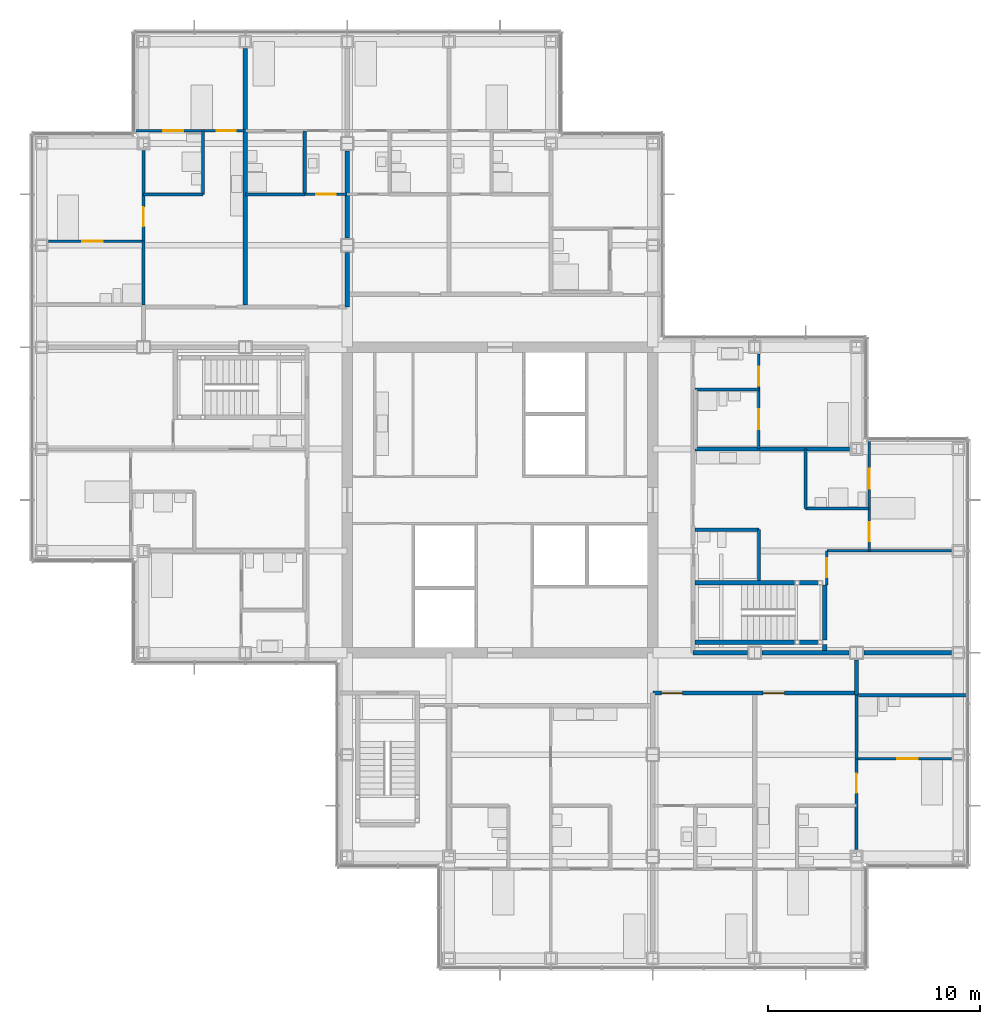
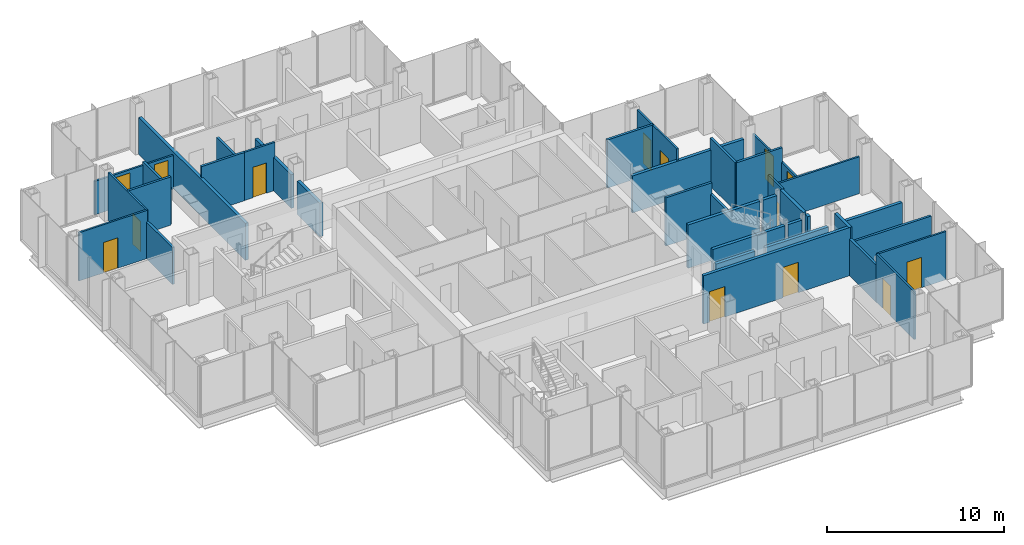
# One storey, part 16 of 20: 37 walls, 14 doors, 14 openings.
"""IFC4 building model written with IfcOpenShell, lengths in metres."""

from ifc_helpers import new_model, si_unit, direction, frame, frame_2d, origin, place, context, subcontext, project, spatial, rectangle, extrude, material, layer, layer_set, type_object, element, fill, save


model = new_model("IFC4")

# Units and contexts
model_context = context("Model", 3, precision=1e-05, world=origin(), true_north=direction((0.0, 1.0)))
body_context = subcontext(model_context, "Body", "Model", "MODEL_VIEW")
ifc_project = project(units=[si_unit("LENGTHUNIT", "METRE"), si_unit("AREAUNIT", "SQUARE_METRE"), si_unit("VOLUMEUNIT", "CUBIC_METRE"), si_unit("PLANEANGLEUNIT", "RADIAN"), si_unit("MASSUNIT", "GRAM", prefix="KILO")], contexts=[model_context])

# Site, building, storey
site_placement = place(None, origin())
site = spatial("IfcSite", under=ifc_project, at=site_placement, CompositionType="ELEMENT")
building_placement = place(site_placement, origin())
building = spatial("IfcBuilding", under=site, at=building_placement, Name="Kvirike Care Tower", CompositionType="ELEMENT")
storey_placement = place(building_placement, frame((0.0, 0.0, 122.5)))
storey = spatial("IfcBuildingStorey", under=building, at=storey_placement, Name="L33", CompositionType="ELEMENT", Elevation=122.5)

# Walls
ifc_material_1 = material(Name="Moisture-resistant board partition", Category="gypsum")
ifc_layer_1 = layer(ifc_material_1, 0.14990234375)
ifc_layer_set_1 = layer_set([ifc_layer_1], Name="BATHROOM WALL 150")
wall_type_1 = type_object("IfcWallType", Name="BATHROOM WALL 150", PredefinedType="PARTITIONING", material=ifc_layer_set_1)
wall_1_placement = place(storey_placement, frame((12.39990234375, 53.39990234375, 0.0), z_axis=(0.0, 0.0, 1.0), x_axis=(0.0, -1.0, 0.0)))
element("IfcWall", 1, at=wall_1_placement, inside=storey, type_object=wall_type_1, Name="Bathroom Wall 150 L33", PredefinedType="PARTITIONING", context=body_context, shape_type="SweptSolid", body=[
    extrude(rectangle(XDim=3.0, YDim=0.14990234375, at=frame_2d((1.5, 0.0))), origin(), (0.0, 0.0, 1.0), 2.550048828125),
])
wall_2_placement = place(storey_placement, frame((12.39990234375, 50.39990234375, 0.0), z_axis=(0.0, 0.0, 1.0), x_axis=(-1.0, 0.0, 0.0)))
element("IfcWall", 2, at=wall_2_placement, inside=storey, type_object=wall_type_1, Name="Bathroom Wall 150 L33", PredefinedType="PARTITIONING", context=body_context, shape_type="SweptSolid", body=[
    extrude(rectangle(XDim=2.7998046875, YDim=0.14990234375, at=frame_2d((1.39990234375, 0.0))), origin(), (0.0, 0.0, 1.0), 3.330078125),
])
wall_3_placement = place(storey_placement, frame((7.60009765625, 53.39990234375, 0.0), z_axis=(0.0, 0.0, 1.0), x_axis=(0.0, -1.0, 0.0)))
element("IfcWall", 3, at=wall_3_placement, inside=storey, type_object=wall_type_1, Name="Bathroom Wall 150 L33", PredefinedType="PARTITIONING", context=body_context, shape_type="SweptSolid", body=[
    extrude(rectangle(XDim=3.0, YDim=0.14990234375, at=frame_2d((1.5, 0.0))), origin(), (0.0, 0.0, 1.0), 2.550048828125),
])
wall_4_placement = place(storey_placement, frame((7.60009765625, 50.39990234375, 0.0), z_axis=(0.0, 0.0, 1.0), x_axis=(-1.0, 0.0, 0.0)))
element("IfcWall", 4, at=wall_4_placement, inside=storey, type_object=wall_type_1, Name="Bathroom Wall 150 L33", PredefinedType="PARTITIONING", context=body_context, shape_type="SweptSolid", body=[
    extrude(rectangle(XDim=2.800048828125, YDim=0.14990234375, at=frame_2d((1.39990234375, 0.0))), origin(), (0.0, 0.0, 1.0), 3.330078125),
])
for number, where, z_axis, x_axis, name in (
    (5, (4.800048828125, 48.199951171875, 0.0), (0.0, 0.0, 1.0), (0.0, -1.0, 0.0), "Bathroom Wall 150 L33"),
    (6, (38.39990234375, 23.800048828125, 0.0), (0.0, 0.0, 1.0), (0.0, 1.0, 0.0), "Bathroom Wall 150 L33"),
):
    element("IfcWall", number, at=place(storey_placement, frame(where, z_axis=z_axis, x_axis=x_axis)), inside=storey, type_object=wall_type_1, Name=name, PredefinedType="PARTITIONING", context=body_context, shape_type="SweptSolid", body=[
        extrude(rectangle(XDim=3.0, YDim=0.14990234375, at=frame_2d((1.5, 0.0))), origin(), (0.0, 0.0, 1.0), 2.550048828125),
    ])
wall_5_placement = place(storey_placement, frame((33.800048828125, 32.199951171875, 0.0), z_axis=(0.0, 0.0, 1.0), x_axis=(0.0, 1.0, 0.0)))
element("IfcWall", 7, at=wall_5_placement, inside=storey, type_object=wall_type_1, Name="Bathroom Wall 150 L33", PredefinedType="PARTITIONING", context=body_context, shape_type="SweptSolid", body=[
    extrude(rectangle(XDim=2.400146484375, YDim=0.14990234375, at=frame_2d((1.2001953125, 0.0))), origin(), (0.0, 0.0, 1.0), 2.550048828125),
])
for number, where, z_axis, x_axis, name in (
    (8, (33.800048828125, 34.60009765625, 0.0), (0.0, 0.0, 1.0), (-1.0, 0.0, 0.0), "Bathroom Wall 150 L33"),
    (9, (39.0, 35.60009765625, 0.0), (0.0, 0.0, 1.0), (-1.0, 0.0, 0.0), "Bathroom Wall 150 L33"),
):
    element("IfcWall", number, at=place(storey_placement, frame(where, z_axis=z_axis, x_axis=x_axis)), inside=storey, type_object=wall_type_1, Name=name, PredefinedType="PARTITIONING", context=body_context, shape_type="SweptSolid", body=[
        extrude(rectangle(XDim=3.0, YDim=0.14990234375, at=frame_2d((1.5, 0.0))), origin(), (0.0, 0.0, 1.0), 3.330078125),
    ])
wall_6_placement = place(storey_placement, frame((36.0, 35.60009765625, 0.0), z_axis=(0.0, 0.0, 1.0), x_axis=(0.0, 1.0, 0.0)))
element("IfcWall", 10, at=wall_6_placement, inside=storey, type_object=wall_type_1, Name="Bathroom Wall 150 L33", PredefinedType="PARTITIONING", context=body_context, shape_type="SweptSolid", body=[
    extrude(rectangle(XDim=2.7998046875, YDim=0.14990234375, at=frame_2d((1.39990234375, 0.0))), origin(), (0.0, 0.0, 1.0), 3.330078125),
])
wall_7_placement = place(storey_placement, frame((33.800048828125, 41.199951171875, 0.0), z_axis=(0.0, 0.0, 1.0), x_axis=(-1.0, 0.0, 0.0)))
element("IfcWall", 11, at=wall_7_placement, inside=storey, type_object=wall_type_1, Name="Bathroom Wall 150 L33", PredefinedType="PARTITIONING", context=body_context, shape_type="SweptSolid", body=[
    extrude(rectangle(XDim=3.0, YDim=0.14990234375, at=frame_2d((1.5, 0.0))), origin(), (0.0, 0.0, 1.0), 3.330078125),
])
wall_8_placement = place(storey_placement, frame((38.5, 26.800048828125, 0.0), z_axis=(0.0, 0.0, 1.0), x_axis=(1.0, 0.0, 0.0)))
element("IfcWall", 12, at=wall_8_placement, inside=storey, type_object=wall_type_1, Name="Bathroom Wall 150 L33", PredefinedType="PARTITIONING", context=body_context, shape_type="SweptSolid", body=[
    extrude(rectangle(XDim=5.139892578125, YDim=0.14990234375, at=frame_2d((2.56982421875, 0.0))), origin(), (0.0, 0.0, 1.0), 2.320068359375),
])

# Wall, openings, doors
ifc_material_2 = material(Name="Plasterboard corridor wall", Category="gypsum")
ifc_layer_2 = layer(ifc_material_2, 0.199951171875)
ifc_layer_set_2 = layer_set([ifc_layer_2], Name="CORRIDOR WALL 200")
wall_type_2 = type_object("IfcWallType", Name="CORRIDOR WALL 200", PredefinedType="PARTITIONING", material=ifc_layer_set_2)
wall_9_placement = place(storey_placement, frame((28.800048828125, 26.89990234375, 0.0), z_axis=(0.0, 0.0, 1.0), x_axis=(1.0, 0.0, 0.0)))
wall_9 = element("IfcWall", 13, at=wall_9_placement, inside=storey, type_object=wall_type_2, Name="Corridor Wall 200 L33", PredefinedType="PARTITIONING", context=body_context, shape_type="SweptSolid", body=[
    extrude(rectangle(XDim=9.599853515625, YDim=0.199951171875, at=frame_2d((4.7998046875, 0.0))), origin(), (0.0, 0.0, 1.0), 3.330078125),
])
opening_1_placement = place(wall_9_placement, frame((0.39990234375, 0.0, 0.0)))
opening_1 = element("IfcOpeningElement", 14, at=opening_1_placement, cuts=wall_9, Name="Opening 33-045", PredefinedType="OPENING", context=body_context, shape_type="SweptSolid", body=[
    extrude(rectangle(XDim=1.0, YDim=2.10009765625, at=frame_2d((0.5, 1.050048828125))), frame((0.0, 0.110595703125, 0.0), z_axis=(0.0, -1.0, 0.0), x_axis=(1.0, 0.0, 0.0)), (0.0, 0.0, 1.0), 0.220947265625),
])
opening_2_placement = place(wall_9_placement, frame((5.199951171875, 0.0, 0.0)))
opening_2 = element("IfcOpeningElement", 15, at=opening_2_placement, cuts=wall_9, Name="Opening 33-046", PredefinedType="OPENING", context=body_context, shape_type="SweptSolid", body=[
    extrude(rectangle(XDim=1.0, YDim=2.10009765625, at=frame_2d((0.5, 1.050048828125))), frame((0.0, 0.110595703125, 0.0), z_axis=(0.0, -1.0, 0.0), x_axis=(1.0, 0.0, 0.0)), (0.0, 0.0, 1.0), 0.220947265625),
])
ifc_material_3 = material(Name="Timber door set", Category="wood")
door_type_1 = type_object("IfcDoorType", Name="FLAT ENTRANCE DOOR 1000", OperationType="SINGLE_SWING_LEFT", PredefinedType="DOOR", material=ifc_material_3)
door_1_placement = place(opening_1_placement, frame((1.0, 0.0, 0.0), z_axis=(0.0, 0.0, 1.0), x_axis=(-1.0, 0.0, 0.0)))
door_1 = element("IfcDoor", 16, at=door_1_placement, inside=storey, type_object=door_type_1, Name="Assisted living suite entrance", OperationType="SINGLE_SWING_LEFT", OverallHeight=2.10009765625, OverallWidth=1.0, PredefinedType="DOOR", context=body_context, shape_type="SweptSolid", body=[
    extrude(rectangle(XDim=1.0, YDim=2.10009765625, at=frame_2d((0.5, 1.050048828125))), frame((0.0, 0.02685546875, 0.0), z_axis=(0.0, -1.0, 0.0), x_axis=(1.0, 0.0, 0.0)), (0.0, 0.0, 1.0), 0.053955078125),
])
fill(opening_1, door_1)
door_2_placement = place(opening_2_placement, frame((1.0, 0.0, 0.0), z_axis=(0.0, 0.0, 1.0), x_axis=(-1.0, 0.0, 0.0)))
door_2 = element("IfcDoor", 17, at=door_2_placement, inside=storey, type_object=door_type_1, Name="Two-bedroom assisted living suite entrance", OperationType="SINGLE_SWING_LEFT", OverallHeight=2.10009765625, OverallWidth=1.0, PredefinedType="DOOR", context=body_context, shape_type="SweptSolid", body=[
    extrude(rectangle(XDim=1.0, YDim=2.10009765625, at=frame_2d((0.5, 1.050048828125))), frame((0.0, 0.02685546875, 0.0), z_axis=(0.0, -1.0, 0.0), x_axis=(1.0, 0.0, 0.0)), (0.0, 0.0, 1.0), 0.053955078125),
])
fill(opening_2, door_2)

# Wall
wall_10_placement = place(storey_placement, frame((38.39990234375, 26.800048828125, 0.0), z_axis=(0.0, 0.0, 1.0), x_axis=(0.0, 1.0, 0.0)))
element("IfcWall", 18, at=wall_10_placement, inside=storey, type_object=wall_type_2, Name="Corridor Wall 200 L33", PredefinedType="PARTITIONING", context=body_context, shape_type="SweptSolid", body=[
    extrude(rectangle(XDim=1.655029296875, YDim=0.199951171875, at=frame_2d((0.82763671875, 0.0))), origin(), (0.0, 0.0, 1.0), 3.330078125),
])

# Wall, opening, door
ifc_material_4 = material(Name="Plasterboard partition", Category="gypsum")
ifc_layer_3 = layer(ifc_material_4, 0.1201171875)
ifc_layer_set_3 = layer_set([ifc_layer_3], Name="PARTITION 120")
wall_type_3 = type_object("IfcWallType", Name="PARTITION 120", PredefinedType="PARTITIONING", material=ifc_layer_set_3)
wall_11_placement = place(storey_placement, frame((14.39990234375, 50.39990234375, 0.0), z_axis=(0.0, 0.0, 1.0), x_axis=(-1.0, 0.0, 0.0)))
wall_11 = element("IfcWall", 19, at=wall_11_placement, inside=storey, type_object=wall_type_3, Name="Partition 120 L33", PredefinedType="PARTITIONING", context=body_context, shape_type="SweptSolid", body=[
    extrude(rectangle(XDim=2.0, YDim=0.1201171875, at=frame_2d((1.0, 0.0))), origin(), (0.0, 0.0, 1.0), 3.330078125),
])
opening_3_placement = place(wall_11_placement, frame((0.550048828125, 0.0, 0.0)))
opening_3 = element("IfcOpeningElement", 20, at=opening_3_placement, cuts=wall_11, Name="Opening 33-010", PredefinedType="OPENING", context=body_context, shape_type="SweptSolid", body=[
    extrude(rectangle(XDim=0.89990234375, YDim=2.10009765625, at=frame_2d((0.449951171875, 1.050048828125))), frame((0.0, 0.070556640625, 0.0), z_axis=(0.0, -1.0, 0.0), x_axis=(1.0, 0.0, 0.0)), (0.0, 0.0, 1.0), 0.14111328125),
])
ifc_material_5 = material(Name="Timber door set", Category="wood")
door_type_2 = type_object("IfcDoorType", Name="INTERNAL DOOR 900", OperationType="SINGLE_SWING_LEFT", PredefinedType="DOOR", material=ifc_material_5)
door_3_placement = place(opening_3_placement, frame((0.89990234375, 0.0, 0.0), z_axis=(0.0, 0.0, 1.0), x_axis=(-1.0, 0.0, 0.0)))
door_3 = element("IfcDoor", 21, at=door_3_placement, inside=storey, type_object=door_type_2, Name="Kitchen door", OperationType="SINGLE_SWING_LEFT", OverallHeight=2.10009765625, OverallWidth=0.89990234375, PredefinedType="DOOR", context=body_context, shape_type="SweptSolid", body=[
    extrude(rectangle(XDim=0.89990234375, YDim=2.10009765625, at=frame_2d((0.449951171875, 1.050048828125))), frame((0.0, 0.02197265625, 0.0), z_axis=(0.0, -1.0, 0.0), x_axis=(1.0, 0.0, 0.0)), (0.0, 0.0, 1.0), 0.0439453125),
])
fill(opening_3, door_3)

# Wall, openings, doors
wall_12_placement = place(storey_placement, frame((9.60009765625, 53.39990234375, 0.0), z_axis=(0.0, 0.0, 1.0), x_axis=(-1.0, 0.0, 0.0)))
wall_12 = element("IfcWall", 22, at=wall_12_placement, inside=storey, type_object=wall_type_3, Name="Partition 120 L33", PredefinedType="PARTITIONING", context=body_context, shape_type="SweptSolid", body=[
    extrude(rectangle(XDim=5.239990234375, YDim=0.1201171875, at=frame_2d((2.6201171875, 0.0))), origin(), (0.0, 0.0, 1.0), 2.320068359375),
])
opening_4_placement = place(wall_12_placement, frame((0.449951171875, 0.0, 0.0)))
opening_4 = element("IfcOpeningElement", 23, at=opening_4_placement, cuts=wall_12, Name="Opening 33-013", PredefinedType="OPENING", context=body_context, shape_type="SweptSolid", body=[
    extrude(rectangle(XDim=0.89990234375, YDim=2.10009765625, at=frame_2d((0.449951171875, 1.050048828125))), frame((0.0, 0.070556640625, 0.0), z_axis=(0.0, -1.0, 0.0), x_axis=(1.0, 0.0, 0.0)), (0.0, 0.0, 1.0), 0.14111328125),
])
opening_5_placement = place(wall_12_placement, frame((2.925048828125, 0.0, 0.0)))
opening_5 = element("IfcOpeningElement", 24, at=opening_5_placement, cuts=wall_12, Name="Opening 33-014", PredefinedType="OPENING", context=body_context, shape_type="SweptSolid", body=[
    extrude(rectangle(XDim=0.949951171875, YDim=2.10009765625, at=frame_2d((0.47509765625, 1.050048828125))), frame((0.0, 0.070556640625, 0.0), z_axis=(0.0, -1.0, 0.0), x_axis=(1.0, 0.0, 0.0)), (0.0, 0.0, 1.0), 0.14111328125),
])
ifc_material_6 = material(Name="Timber door set", Category="wood")
door_type_3 = type_object("IfcDoorType", Name="EN-SUITE SLIDING DOOR 950", OperationType="SLIDING_TO_LEFT", PredefinedType="DOOR", material=ifc_material_6)
door_4_placement = place(opening_5_placement, origin())
door_4 = element("IfcDoor", 25, at=door_4_placement, inside=storey, type_object=door_type_3, Name="En-suite door", OperationType="SLIDING_TO_LEFT", OverallHeight=2.10009765625, OverallWidth=0.949951171875, PredefinedType="DOOR", context=body_context, shape_type="SweptSolid", body=[
    extrude(rectangle(XDim=0.949951171875, YDim=2.10009765625, at=frame_2d((0.47509765625, 1.050048828125))), frame((0.0, 0.02197265625, 0.0), z_axis=(0.0, -1.0, 0.0), x_axis=(1.0, 0.0, 0.0)), (0.0, 0.0, 1.0), 0.0439453125),
])
fill(opening_5, door_4)
door_5_placement = place(opening_4_placement, frame((0.89990234375, 0.0, 0.0), z_axis=(0.0, 0.0, 1.0), x_axis=(-1.0, 0.0, 0.0)))
door_5 = element("IfcDoor", 26, at=door_5_placement, inside=storey, type_object=door_type_2, Name="Assisted living suite door", OperationType="SINGLE_SWING_LEFT", OverallHeight=2.10009765625, OverallWidth=0.89990234375, PredefinedType="DOOR", context=body_context, shape_type="SweptSolid", body=[
    extrude(rectangle(XDim=0.89990234375, YDim=2.10009765625, at=frame_2d((0.449951171875, 1.050048828125))), frame((0.0, 0.02197265625, 0.0), z_axis=(0.0, -1.0, 0.0), x_axis=(1.0, 0.0, 0.0)), (0.0, 0.0, 1.0), 0.0439453125),
])
fill(opening_4, door_5)

# Wall, opening, door
wall_13_placement = place(storey_placement, frame((4.800048828125, 48.199951171875, 0.0), z_axis=(0.0, 0.0, 1.0), x_axis=(-1.0, 0.0, 0.0)))
wall_13 = element("IfcWall", 27, at=wall_13_placement, inside=storey, type_object=wall_type_3, Name="Partition 120 L33", PredefinedType="PARTITIONING", context=body_context, shape_type="SweptSolid", body=[
    extrude(rectangle(XDim=4.47998046875, YDim=0.1201171875, at=frame_2d((2.239990234375, 0.0))), origin(), (0.0, 0.0, 1.0), 3.330078125),
])
opening_6_placement = place(wall_13_placement, frame((1.925048828125, 0.0, 0.0)))
opening_6 = element("IfcOpeningElement", 28, at=opening_6_placement, cuts=wall_13, Name="Opening 33-015", PredefinedType="OPENING", context=body_context, shape_type="SweptSolid", body=[
    extrude(rectangle(XDim=0.949951171875, YDim=2.10009765625, at=frame_2d((0.47509765625, 1.050048828125))), frame((0.0, 0.070556640625, 0.0), z_axis=(0.0, -1.0, 0.0), x_axis=(1.0, 0.0, 0.0)), (0.0, 0.0, 1.0), 0.14111328125),
])
door_6_placement = place(opening_6_placement, origin())
door_6 = element("IfcDoor", 29, at=door_6_placement, inside=storey, type_object=door_type_3, Name="En-suite door", OperationType="SLIDING_TO_RIGHT", OverallHeight=2.10009765625, OverallWidth=0.949951171875, PredefinedType="DOOR", context=body_context, shape_type="SweptSolid", body=[
    extrude(rectangle(XDim=0.949951171875, YDim=2.10009765625, at=frame_2d((0.47509765625, 1.050048828125))), frame((0.0, 0.02197265625, 0.0), z_axis=(0.0, -1.0, 0.0), x_axis=(1.0, 0.0, 0.0)), (0.0, 0.0, 1.0), 0.0439453125),
])
fill(opening_6, door_6)

wall_14_placement = place(storey_placement, frame((4.800048828125, 52.47998046875, 0.0), z_axis=(0.0, 0.0, 1.0), x_axis=(0.0, -1.0, 0.0)))
wall_14 = element("IfcWall", 30, at=wall_14_placement, inside=storey, type_object=wall_type_3, Name="Partition 120 L33", PredefinedType="PARTITIONING", context=body_context, shape_type="SweptSolid", body=[
    extrude(rectangle(XDim=4.280029296875, YDim=0.1201171875, at=frame_2d((2.14013671875, 0.0))), origin(), (0.0, 0.0, 1.0), 3.330078125),
])
opening_7_placement = place(wall_14_placement, frame((2.679931640625, 0.0, 0.0)))
opening_7 = element("IfcOpeningElement", 31, at=opening_7_placement, cuts=wall_14, Name="Opening 33-016", PredefinedType="OPENING", context=body_context, shape_type="SweptSolid", body=[
    extrude(rectangle(XDim=0.89990234375, YDim=2.10009765625, at=frame_2d((0.449951171875, 1.050048828125))), frame((0.0, 0.070556640625, 0.0), z_axis=(0.0, -1.0, 0.0), x_axis=(1.0, 0.0, 0.0)), (0.0, 0.0, 1.0), 0.14111328125),
])
door_7_placement = place(opening_7_placement, frame((0.89990234375, 0.0, 0.0), z_axis=(0.0, 0.0, 1.0), x_axis=(-1.0, 0.0, 0.0)))
door_7 = element("IfcDoor", 32, at=door_7_placement, inside=storey, type_object=door_type_2, Name="Connecting door", OperationType="SINGLE_SWING_RIGHT", OverallHeight=2.10009765625, OverallWidth=0.89990234375, PredefinedType="DOOR", context=body_context, shape_type="SweptSolid", body=[
    extrude(rectangle(XDim=0.89990234375, YDim=2.10009765625, at=frame_2d((0.449951171875, 1.050048828125))), frame((0.0, 0.02197265625, 0.0), z_axis=(0.0, -1.0, 0.0), x_axis=(1.0, 0.0, 0.0)), (0.0, 0.0, 1.0), 0.0439453125),
])
fill(opening_7, door_7)

wall_15_placement = place(storey_placement, frame((38.39990234375, 23.800048828125, 0.0), z_axis=(0.0, 0.0, 1.0), x_axis=(1.0, 0.0, 0.0)))
wall_15 = element("IfcWall", 33, at=wall_15_placement, inside=storey, type_object=wall_type_3, Name="Partition 120 L33", PredefinedType="PARTITIONING", context=body_context, shape_type="SweptSolid", body=[
    extrude(rectangle(XDim=4.47998046875, YDim=0.1201171875, at=frame_2d((2.239990234375, 0.0))), origin(), (0.0, 0.0, 1.0), 3.330078125),
])
opening_8_placement = place(wall_15_placement, frame((1.925048828125, 0.0, 0.0)))
opening_8 = element("IfcOpeningElement", 34, at=opening_8_placement, cuts=wall_15, Name="Opening 33-043", PredefinedType="OPENING", context=body_context, shape_type="SweptSolid", body=[
    extrude(rectangle(XDim=0.949951171875, YDim=2.10009765625, at=frame_2d((0.47509765625, 1.050048828125))), frame((0.0, 0.070556640625, 0.0), z_axis=(0.0, -1.0, 0.0), x_axis=(1.0, 0.0, 0.0)), (0.0, 0.0, 1.0), 0.14111328125),
])
door_8_placement = place(opening_8_placement, origin())
door_8 = element("IfcDoor", 35, at=door_8_placement, inside=storey, type_object=door_type_3, Name="En-suite door", OperationType="SLIDING_TO_RIGHT", OverallHeight=2.10009765625, OverallWidth=0.949951171875, PredefinedType="DOOR", context=body_context, shape_type="SweptSolid", body=[
    extrude(rectangle(XDim=0.949951171875, YDim=2.10009765625, at=frame_2d((0.47509765625, 1.050048828125))), frame((0.0, 0.02197265625, 0.0), z_axis=(0.0, -1.0, 0.0), x_axis=(1.0, 0.0, 0.0)), (0.0, 0.0, 1.0), 0.0439453125),
])
fill(opening_8, door_8)

wall_16_placement = place(storey_placement, frame((38.39990234375, 19.52001953125, 0.0), z_axis=(0.0, 0.0, 1.0), x_axis=(0.0, 1.0, 0.0)))
wall_16 = element("IfcWall", 36, at=wall_16_placement, inside=storey, type_object=wall_type_3, Name="Partition 120 L33", PredefinedType="PARTITIONING", context=body_context, shape_type="SweptSolid", body=[
    extrude(rectangle(XDim=4.280029296875, YDim=0.1201171875, at=frame_2d((2.14013671875, 0.0))), origin(), (0.0, 0.0, 1.0), 3.330078125),
])
opening_9_placement = place(wall_16_placement, frame((2.679931640625, 0.0, 0.0)))
opening_9 = element("IfcOpeningElement", 37, at=opening_9_placement, cuts=wall_16, Name="Opening 33-044", PredefinedType="OPENING", context=body_context, shape_type="SweptSolid", body=[
    extrude(rectangle(XDim=0.89990234375, YDim=2.10009765625, at=frame_2d((0.449951171875, 1.050048828125))), frame((0.0, 0.070556640625, 0.0), z_axis=(0.0, -1.0, 0.0), x_axis=(1.0, 0.0, 0.0)), (0.0, 0.0, 1.0), 0.14111328125),
])
door_9_placement = place(opening_9_placement, frame((0.89990234375, 0.0, 0.0), z_axis=(0.0, 0.0, 1.0), x_axis=(-1.0, 0.0, 0.0)))
door_9 = element("IfcDoor", 38, at=door_9_placement, inside=storey, type_object=door_type_2, Name="Connecting door", OperationType="SINGLE_SWING_RIGHT", OverallHeight=2.10009765625, OverallWidth=0.89990234375, PredefinedType="DOOR", context=body_context, shape_type="SweptSolid", body=[
    extrude(rectangle(XDim=0.89990234375, YDim=2.10009765625, at=frame_2d((0.449951171875, 1.050048828125))), frame((0.0, 0.02197265625, 0.0), z_axis=(0.0, -1.0, 0.0), x_axis=(1.0, 0.0, 0.0)), (0.0, 0.0, 1.0), 0.0439453125),
])
fill(opening_9, door_9)

wall_17_placement = place(storey_placement, frame((37.0, 32.0, 0.0), z_axis=(0.0, 0.0, 1.0), x_axis=(0.0, 1.0, 0.0)))
wall_17 = element("IfcWall", 39, at=wall_17_placement, inside=storey, type_object=wall_type_3, Name="Partition 120 L33", PredefinedType="PARTITIONING", context=body_context, shape_type="SweptSolid", body=[
    extrude(rectangle(XDim=1.60009765625, YDim=0.1201171875, at=frame_2d((0.800048828125, 0.0))), origin(), (0.0, 0.0, 1.0), 3.330078125),
])
opening_10_placement = place(wall_17_placement, frame((0.35009765625, 0.0, 0.0)))
opening_10 = element("IfcOpeningElement", 40, at=opening_10_placement, cuts=wall_17, Name="Opening 33-047", PredefinedType="OPENING", context=body_context, shape_type="SweptSolid", body=[
    extrude(rectangle(XDim=0.89990234375, YDim=2.10009765625, at=frame_2d((0.449951171875, 1.050048828125))), frame((0.0, 0.070556640625, 0.0), z_axis=(0.0, -1.0, 0.0), x_axis=(1.0, 0.0, 0.0)), (0.0, 0.0, 1.0), 0.14111328125),
])
door_10_placement = place(opening_10_placement, frame((0.89990234375, 0.0, 0.0), z_axis=(0.0, 0.0, 1.0), x_axis=(-1.0, 0.0, 0.0)))
door_10 = element("IfcDoor", 41, at=door_10_placement, inside=storey, type_object=door_type_2, Name="Suite sitting room door", OperationType="SINGLE_SWING_RIGHT", OverallHeight=2.10009765625, OverallWidth=0.89990234375, PredefinedType="DOOR", context=body_context, shape_type="SweptSolid", body=[
    extrude(rectangle(XDim=0.89990234375, YDim=2.10009765625, at=frame_2d((0.449951171875, 1.050048828125))), frame((0.0, 0.02197265625, 0.0), z_axis=(0.0, -1.0, 0.0), x_axis=(1.0, 0.0, 0.0)), (0.0, 0.0, 1.0), 0.0439453125),
])
fill(opening_10, door_10)

# Wall, openings, doors
wall_18_placement = place(storey_placement, frame((39.0, 33.60009765625, 0.0), z_axis=(0.0, 0.0, 1.0), x_axis=(0.0, 1.0, 0.0)))
wall_18 = element("IfcWall", 42, at=wall_18_placement, inside=storey, type_object=wall_type_3, Name="Partition 120 L33", PredefinedType="PARTITIONING", context=body_context, shape_type="SweptSolid", body=[
    extrude(rectangle(XDim=5.239990234375, YDim=0.1201171875, at=frame_2d((2.6201171875, 0.0))), origin(), (0.0, 0.0, 1.0), 2.320068359375),
])
opening_11_placement = place(wall_18_placement, frame((0.449951171875, 0.0, 0.0)))
opening_11 = element("IfcOpeningElement", 43, at=opening_11_placement, cuts=wall_18, Name="Opening 33-048", PredefinedType="OPENING", context=body_context, shape_type="SweptSolid", body=[
    extrude(rectangle(XDim=0.89990234375, YDim=2.10009765625, at=frame_2d((0.449951171875, 1.050048828125))), frame((0.0, 0.070556640625, 0.0), z_axis=(0.0, -1.0, 0.0), x_axis=(1.0, 0.0, 0.0)), (0.0, 0.0, 1.0), 0.14111328125),
])
opening_12_placement = place(wall_18_placement, frame((2.925048828125, 0.0, 0.0)))
opening_12 = element("IfcOpeningElement", 44, at=opening_12_placement, cuts=wall_18, Name="Opening 33-049", PredefinedType="OPENING", context=body_context, shape_type="SweptSolid", body=[
    extrude(rectangle(XDim=0.949951171875, YDim=2.10009765625, at=frame_2d((0.47509765625, 1.050048828125))), frame((0.0, 0.070556640625, 0.0), z_axis=(0.0, -1.0, 0.0), x_axis=(1.0, 0.0, 0.0)), (0.0, 0.0, 1.0), 0.14111328125),
])
door_11_placement = place(opening_12_placement, origin())
door_11 = element("IfcDoor", 45, at=door_11_placement, inside=storey, type_object=door_type_3, Name="En-suite door", OperationType="SLIDING_TO_RIGHT", OverallHeight=2.10009765625, OverallWidth=0.949951171875, PredefinedType="DOOR", context=body_context, shape_type="SweptSolid", body=[
    extrude(rectangle(XDim=0.949951171875, YDim=2.10009765625, at=frame_2d((0.47509765625, 1.050048828125))), frame((0.0, 0.02197265625, 0.0), z_axis=(0.0, -1.0, 0.0), x_axis=(1.0, 0.0, 0.0)), (0.0, 0.0, 1.0), 0.0439453125),
])
fill(opening_12, door_11)
door_12_placement = place(opening_11_placement, frame((0.89990234375, 0.0, 0.0), z_axis=(0.0, 0.0, 1.0), x_axis=(-1.0, 0.0, 0.0)))
door_12 = element("IfcDoor", 46, at=door_12_placement, inside=storey, type_object=door_type_2, Name="Assisted living suite door", OperationType="SINGLE_SWING_LEFT", OverallHeight=2.10009765625, OverallWidth=0.89990234375, PredefinedType="DOOR", context=body_context, shape_type="SweptSolid", body=[
    extrude(rectangle(XDim=0.89990234375, YDim=2.10009765625, at=frame_2d((0.449951171875, 1.050048828125))), frame((0.0, 0.02197265625, 0.0), z_axis=(0.0, -1.0, 0.0), x_axis=(1.0, 0.0, 0.0)), (0.0, 0.0, 1.0), 0.0439453125),
])
fill(opening_11, door_12)

# Wall
wall_19_placement = place(storey_placement, frame((42.8798828125, 33.60009765625, 0.0), z_axis=(0.0, 0.0, 1.0), x_axis=(-1.0, 0.0, 0.0)))
element("IfcWall", 47, at=wall_19_placement, inside=storey, type_object=wall_type_3, Name="Partition 120 L33", PredefinedType="PARTITIONING", context=body_context, shape_type="SweptSolid", body=[
    extrude(rectangle(XDim=5.8798828125, YDim=0.1201171875, at=frame_2d((2.93994140625, 0.0))), origin(), (0.0, 0.0, 1.0), 2.550048828125),
])

# Wall, openings, doors
wall_20_placement = place(storey_placement, frame((33.800048828125, 38.39990234375, 0.0), z_axis=(0.0, 0.0, 1.0), x_axis=(0.0, 1.0, 0.0)))
wall_20 = element("IfcWall", 48, at=wall_20_placement, inside=storey, type_object=wall_type_3, Name="Partition 120 L33", PredefinedType="PARTITIONING", context=body_context, shape_type="SweptSolid", body=[
    extrude(rectangle(XDim=4.47998046875, YDim=0.1201171875, at=frame_2d((2.239990234375, 0.0))), origin(), (0.0, 0.0, 1.0), 3.330078125),
])
opening_13_placement = place(wall_20_placement, frame((2.97509765625, 0.0, 0.0)))
opening_13 = element("IfcOpeningElement", 49, at=opening_13_placement, cuts=wall_20, Name="Opening 33-050", PredefinedType="OPENING", context=body_context, shape_type="SweptSolid", body=[
    extrude(rectangle(XDim=0.89990234375, YDim=2.10009765625, at=frame_2d((0.449951171875, 1.050048828125))), frame((0.0, 0.070556640625, 0.0), z_axis=(0.0, -1.0, 0.0), x_axis=(1.0, 0.0, 0.0)), (0.0, 0.0, 1.0), 0.14111328125),
])
opening_14_placement = place(wall_20_placement, frame((0.925048828125, 0.0, 0.0)))
opening_14 = element("IfcOpeningElement", 50, at=opening_14_placement, cuts=wall_20, Name="Opening 33-051", PredefinedType="OPENING", context=body_context, shape_type="SweptSolid", body=[
    extrude(rectangle(XDim=0.949951171875, YDim=2.10009765625, at=frame_2d((0.47509765625, 1.050048828125))), frame((0.0, 0.070556640625, 0.0), z_axis=(0.0, -1.0, 0.0), x_axis=(1.0, 0.0, 0.0)), (0.0, 0.0, 1.0), 0.14111328125),
])
door_13_placement = place(opening_14_placement, origin())
door_13 = element("IfcDoor", 51, at=door_13_placement, inside=storey, type_object=door_type_3, Name="En-suite door", OperationType="SLIDING_TO_LEFT", OverallHeight=2.10009765625, OverallWidth=0.949951171875, PredefinedType="DOOR", context=body_context, shape_type="SweptSolid", body=[
    extrude(rectangle(XDim=0.949951171875, YDim=2.10009765625, at=frame_2d((0.47509765625, 1.050048828125))), frame((0.0, 0.02197265625, 0.0), z_axis=(0.0, -1.0, 0.0), x_axis=(1.0, 0.0, 0.0)), (0.0, 0.0, 1.0), 0.0439453125),
])
fill(opening_14, door_13)
door_14_placement = place(opening_13_placement, origin())
door_14 = element("IfcDoor", 52, at=door_14_placement, inside=storey, type_object=door_type_2, Name="Assisted living suite door", OperationType="SINGLE_SWING_RIGHT", OverallHeight=2.10009765625, OverallWidth=0.89990234375, PredefinedType="DOOR", context=body_context, shape_type="SweptSolid", body=[
    extrude(rectangle(XDim=0.89990234375, YDim=2.10009765625, at=frame_2d((0.449951171875, 1.050048828125))), frame((0.0, 0.02197265625, 0.0), z_axis=(0.0, -1.0, 0.0), x_axis=(1.0, 0.0, 0.0)), (0.0, 0.0, 1.0), 0.0439453125),
])
fill(opening_13, door_14)

# Walls
ifc_material_7 = material(Name="Plasterboard party wall", Category="gypsum")
ifc_layer_4 = layer(ifc_material_7, 0.199951171875)
ifc_layer_set_4 = layer_set([ifc_layer_4], Name="PARTY WALL 200")
wall_type_4 = type_object("IfcWallType", Name="PARTY WALL 200", PredefinedType="PARTITIONING", material=ifc_layer_set_4)
wall_21_placement = place(storey_placement, frame((9.60009765625, 57.280029296875, 0.0), z_axis=(0.0, 0.0, 1.0), x_axis=(0.0, -1.0, 0.0)))
element("IfcWall", 53, at=wall_21_placement, inside=storey, type_object=wall_type_4, Name="Party Wall 200 L33", PredefinedType="PARTITIONING", context=body_context, shape_type="SweptSolid", body=[
    extrude(rectangle(XDim=12.080078125, YDim=0.199951171875, at=frame_2d((6.0400390625, 0.0))), origin(), (0.0, 0.0, 1.0), 2.550048828125),
])
wall_22_placement = place(storey_placement, frame((38.080078125, 38.39990234375, 0.0), z_axis=(0.0, 0.0, 1.0), x_axis=(-1.0, 0.0, 0.0)))
element("IfcWall", 54, at=wall_22_placement, inside=storey, type_object=wall_type_4, Name="Party Wall 200 L33", PredefinedType="PARTITIONING", context=body_context, shape_type="SweptSolid", body=[
    extrude(rectangle(XDim=7.280029296875, YDim=0.199951171875, at=frame_2d((3.64013671875, 0.0))), origin(), (0.0, 0.0, 1.0), 2.550048828125),
])
wall_23_placement = place(storey_placement, frame((14.39990234375, 45.10009765625, 0.0), z_axis=(0.0, 0.0, 1.0), x_axis=(0.0, 1.0, 0.0)))
element("IfcWall", 55, at=wall_23_placement, inside=storey, type_object=wall_type_4, Name="Party Wall 200 L33", PredefinedType="PARTITIONING", context=body_context, shape_type="SweptSolid", body=[
    extrude(rectangle(XDim=2.554931640625, YDim=0.199951171875, at=frame_2d((1.27734375, 0.0))), origin(), (0.0, 0.0, 1.0), 2.320068359375),
])
wall_24_placement = place(storey_placement, frame((14.39990234375, 48.344970703125, 0.0), z_axis=(0.0, 0.0, 1.0), x_axis=(0.0, 1.0, 0.0)))
element("IfcWall", 56, at=wall_24_placement, inside=storey, type_object=wall_type_4, Name="Party Wall 200 L33", PredefinedType="PARTITIONING", context=body_context, shape_type="SweptSolid", body=[
    extrude(rectangle(XDim=4.110107421875, YDim=0.199951171875, at=frame_2d((2.05517578125, 0.0))), origin(), (0.0, 0.0, 1.0), 2.320068359375),
])
wall_25_placement = place(storey_placement, frame((42.8798828125, 28.800048828125, 0.0), z_axis=(0.0, 0.0, 1.0), x_axis=(-1.0, 0.0, 0.0)))
element("IfcWall", 57, at=wall_25_placement, inside=storey, type_object=wall_type_4, Name="Party Wall 200 L33", PredefinedType="PARTITIONING", context=body_context, shape_type="SweptSolid", body=[
    extrude(rectangle(XDim=4.134765625, YDim=0.199951171875, at=frame_2d((2.0673828125, 0.0))), origin(), (0.0, 0.0, 1.0), 2.320068359375),
])
wall_26_placement = place(storey_placement, frame((38.054931640625, 28.800048828125, 0.0), z_axis=(0.0, 0.0, 1.0), x_axis=(-1.0, 0.0, 0.0)))
element("IfcWall", 58, at=wall_26_placement, inside=storey, type_object=wall_type_4, Name="Party Wall 200 L33", PredefinedType="PARTITIONING", context=body_context, shape_type="SweptSolid", body=[
    extrude(rectangle(XDim=4.10986328125, YDim=0.199951171875, at=frame_2d((2.054931640625, 0.0))), origin(), (0.0, 0.0, 1.0), 2.320068359375),
])
wall_27_placement = place(storey_placement, frame((33.2548828125, 28.800048828125, 0.0), z_axis=(0.0, 0.0, 1.0), x_axis=(-1.0, 0.0, 0.0)))
element("IfcWall", 59, at=wall_27_placement, inside=storey, type_object=wall_type_4, Name="Party Wall 200 L33", PredefinedType="PARTITIONING", context=body_context, shape_type="SweptSolid", body=[
    extrude(rectangle(XDim=2.554931640625, YDim=0.199951171875, at=frame_2d((1.27734375, 0.0))), origin(), (0.0, 0.0, 1.0), 2.320068359375),
])
ifc_material_8 = material(Name="Concrete C40/50", Category="concrete")
ifc_layer_5 = layer(ifc_material_8, 0.199951171875)
ifc_layer_set_5 = layer_set([ifc_layer_5], Name="STAIR WALL 200")
wall_type_5 = type_object("IfcWallType", Name="STAIR WALL 200", PredefinedType="SOLIDWALL", material=ifc_layer_set_5)
wall_28_placement = place(storey_placement, frame((36.60009765625, 29.300048828125, 0.0), z_axis=(0.0, 0.0, 1.0), x_axis=(-1.0, 0.0, 0.0)))
element("IfcWall", 60, at=wall_28_placement, inside=storey, type_object=wall_type_5, Name="Stair Wall 200 L33", PredefinedType="SOLIDWALL", context=body_context, shape_type="SweptSolid", body=[
    extrude(rectangle(XDim=0.900146484375, YDim=0.199951171875, at=frame_2d((0.4501953125, 0.0))), origin(), (0.0, 0.0, 1.0), 2.989990234375),
])
wall_29_placement = place(storey_placement, frame((35.5, 29.300048828125, 0.0), z_axis=(0.0, 0.0, 1.0), x_axis=(-1.0, 0.0, 0.0)))
element("IfcWall", 61, at=wall_29_placement, inside=storey, type_object=wall_type_5, Name="Stair Wall 200 L33", PredefinedType="SOLIDWALL", context=body_context, shape_type="SweptSolid", body=[
    extrude(rectangle(XDim=4.699951171875, YDim=0.199951171875, at=frame_2d((2.35009765625, 0.0))), origin(), (0.0, 0.0, 1.0), 2.989990234375),
])
wall_30_placement = place(storey_placement, frame((36.60009765625, 32.10009765625, 0.0), z_axis=(0.0, 0.0, 1.0), x_axis=(-1.0, 0.0, 0.0)))
element("IfcWall", 62, at=wall_30_placement, inside=storey, type_object=wall_type_5, Name="Stair Wall 200 L33", PredefinedType="SOLIDWALL", context=body_context, shape_type="SweptSolid", body=[
    extrude(rectangle(XDim=0.900146484375, YDim=0.199951171875, at=frame_2d((0.4501953125, 0.0))), origin(), (0.0, 0.0, 1.0), 2.989990234375),
])
wall_31_placement = place(storey_placement, frame((35.5, 32.10009765625, 0.0), z_axis=(0.0, 0.0, 1.0), x_axis=(-1.0, 0.0, 0.0)))
element("IfcWall", 63, at=wall_31_placement, inside=storey, type_object=wall_type_5, Name="Stair Wall 200 L33", PredefinedType="SOLIDWALL", context=body_context, shape_type="SweptSolid", body=[
    extrude(rectangle(XDim=4.699951171875, YDim=0.199951171875, at=frame_2d((2.35009765625, 0.0))), origin(), (0.0, 0.0, 1.0), 2.989990234375),
])
wall_32_placement = place(storey_placement, frame((36.89990234375, 28.89990234375, 0.0), z_axis=(0.0, 0.0, 1.0), x_axis=(0.0, 1.0, 0.0)))
element("IfcWall", 64, at=wall_32_placement, inside=storey, type_object=wall_type_5, Name="Stair Wall 200 L33", PredefinedType="SOLIDWALL", context=body_context, shape_type="SweptSolid", body=[
    extrude(rectangle(XDim=0.300048828125, YDim=0.199951171875, at=frame_2d((0.14990234375, 0.0))), origin(), (0.0, 0.0, 1.0), 3.330078125),
])
wall_33_placement = place(storey_placement, frame((36.89990234375, 29.39990234375, 0.0), z_axis=(0.0, 0.0, 1.0), x_axis=(0.0, 1.0, 0.0)))
element("IfcWall", 65, at=wall_33_placement, inside=storey, type_object=wall_type_5, Name="Stair Wall 200 L33", PredefinedType="SOLIDWALL", context=body_context, shape_type="SweptSolid", body=[
    extrude(rectangle(XDim=2.60009765625, YDim=0.199951171875, at=frame_2d((1.300048828125, 0.0))), origin(), (0.0, 0.0, 1.0), 3.330078125),
])

save(model, "model.ifc")
